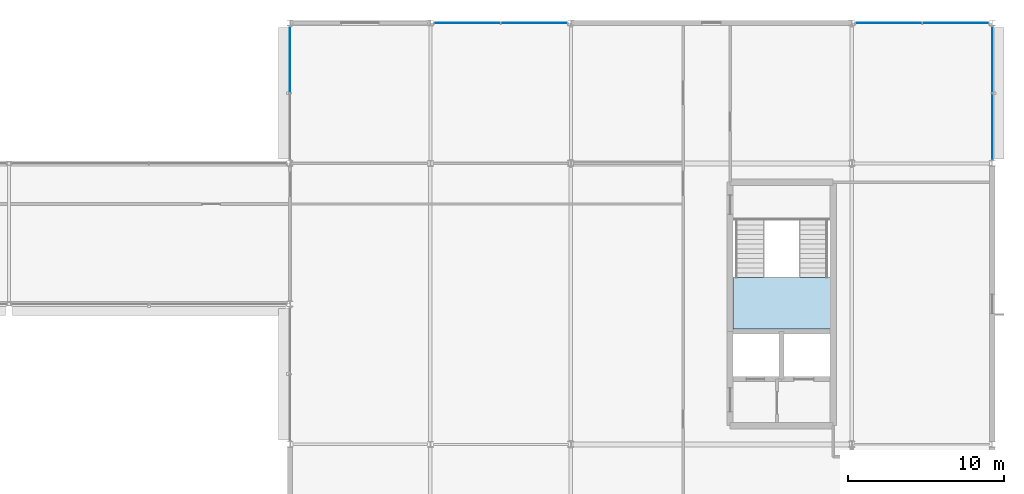
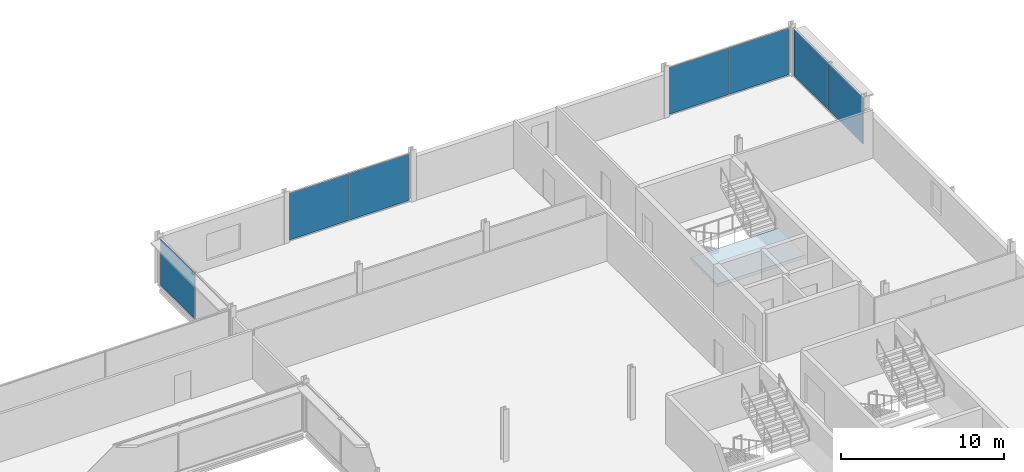
# One storey, part 56 of 98: 7 plates, 1 slab, 5 elements without a shape of their own.
"""IFC4 building model written with IfcOpenShell, lengths in metres."""

from ifc_helpers import new_model, si_unit, direction, frame, origin, origin_2d, place, context, subcontext, project, spatial, polyline, rectangle, outline, extrude, material, layer, layer_set, type_object, element, aggregate, save


model = new_model("IFC4")

# Units and contexts
model_context = context("Model", 3, precision=1e-05, world=origin(), true_north=direction((0.0, 1.0)))
body_context = subcontext(model_context, "Body", "Model", "MODEL_VIEW")
ifc_project = project(units=[si_unit("LENGTHUNIT", "METRE"), si_unit("AREAUNIT", "SQUARE_METRE"), si_unit("VOLUMEUNIT", "CUBIC_METRE"), si_unit("PLANEANGLEUNIT", "RADIAN"), si_unit("MASSUNIT", "GRAM", prefix="KILO")], contexts=[model_context])

# Site, building, storey
site_placement = place(None, origin())
site = spatial("IfcSite", under=ifc_project, at=site_placement, CompositionType="ELEMENT")
building_placement = place(site_placement, origin())
building = spatial("IfcBuilding", under=site, at=building_placement, Name="Kisiwana Market Hall", CompositionType="ELEMENT")
storey_placement = place(building_placement, frame((0.0, 0.0, 29.39990234375)))
storey = spatial("IfcBuildingStorey", under=building, at=storey_placement, Name="L06", CompositionType="ELEMENT", Elevation=29.39990234375)

# Curtain wall, plates
ifc_material_1 = material(Name="Double-glazed solar-control low-E IGU", Category="glass")
ifc_layer_1 = layer(ifc_material_1, 0.159912109375)
ifc_layer_set_1 = layer_set([ifc_layer_1], Name="CW-ZNA-EW-8200")
curtain_wall_type = type_object("IfcCurtainWallType", Name="CW-ZNA-EW-8200", PredefinedType="USERDEFINED", material=ifc_layer_set_1)
curtain_wall_1_placement = place(storey_placement, origin())
curtain_wall_1 = element("IfcCurtainWall", 1, at=curtain_wall_1_placement, inside=storey, type_object=curtain_wall_type, Name="Unitised curtain wall CW-197 (L06)", ObjectType="UNITISED CURTAIN WALL", PredefinedType="USERDEFINED")
ifc_material_2 = material(Name="Double-glazed solar-control low-E IGU", Category="glass")
ifc_layer_2 = layer(ifc_material_2, 0.02392578125)
ifc_layer_set_2 = layer_set([ifc_layer_2], Name="PL-IGU-24")
plate_type_1 = type_object("IfcPlateType", Name="PL-IGU-24", PredefinedType="CURTAIN_PANEL", material=ifc_layer_set_2)
plate_1_placement = place(storey_placement, frame((164.35693359375, 111.0, 0.06005859375), z_axis=(0.0, 0.0, 1.0), x_axis=(1.0, 0.0, 0.0)))
plate_1 = element("IfcPlate", 2, at=plate_1_placement, type_object=plate_type_1, Name="CW-197 panel 1.1", PredefinedType="CURTAIN_PANEL", context=body_context, shape_type="SweptSolid", body=[
    extrude(rectangle(XDim=4.2236328125, YDim=0.02392578125, at=origin_2d()), origin(), (0.0, 0.0, 1.0), 3.5),
])
plate_2_placement = place(storey_placement, frame((168.640869140625, 111.0, 0.06005859375), z_axis=(0.0, 0.0, 1.0), x_axis=(1.0, 0.0, 0.0)))
plate_2 = element("IfcPlate", 3, at=plate_2_placement, type_object=plate_type_1, Name="CW-197 panel 2.1", PredefinedType="CURTAIN_PANEL", context=body_context, shape_type="SweptSolid", body=[
    extrude(rectangle(XDim=4.2236328125, YDim=0.02392578125, at=origin_2d()), origin(), (0.0, 0.0, 1.0), 3.5),
])
aggregate(curtain_wall_1, [plate_1, plate_2])

# Curtain wall, plate
curtain_wall_2_placement = place(storey_placement, origin())
curtain_wall_2 = element("IfcCurtainWall", 4, at=curtain_wall_2_placement, inside=storey, type_object=curtain_wall_type, Name="Unitised curtain wall CW-207 (L06)", ObjectType="UNITISED CURTAIN WALL", PredefinedType="USERDEFINED")
plate_3_placement = place(storey_placement, frame((153.0, 108.64453125, 0.06005859375), z_axis=(0.0, 0.0, 1.0), x_axis=(0.0, 1.0, 0.0)))
plate_3 = element("IfcPlate", 5, at=plate_3_placement, type_object=plate_type_1, Name="CW-207 panel 2.1", PredefinedType="CURTAIN_PANEL", context=body_context, shape_type="SweptSolid", body=[
    extrude(rectangle(XDim=4.22900390625, YDim=0.02392578125, at=origin_2d()), origin(), (0.0, 0.0, 1.0), 3.5),
])
aggregate(curtain_wall_2, [plate_3])

# Curtain wall, plates
curtain_wall_3_placement = place(storey_placement, origin())
curtain_wall_3 = element("IfcCurtainWall", 6, at=curtain_wall_3_placement, inside=storey, type_object=curtain_wall_type, Name="Unitised curtain wall CW-198 (L06)", ObjectType="UNITISED CURTAIN WALL", PredefinedType="USERDEFINED")
ifc_material_3 = material(Name="Double-glazed acoustic laminated IGU", Category="glass")
ifc_layer_3 = layer(ifc_material_3, 0.028076171875)
ifc_layer_set_3 = layer_set([ifc_layer_3], Name="PL-IGU-28")
plate_type_2 = type_object("IfcPlateType", Name="PL-IGU-28", PredefinedType="CURTAIN_PANEL", material=ifc_layer_set_3)
plate_4_placement = place(storey_placement, frame((191.359130859375, 111.0, 0.06005859375), z_axis=(0.0, 0.0, 1.0), x_axis=(1.0, 0.0, 0.0)))
plate_4 = element("IfcPlate", 7, at=plate_4_placement, type_object=plate_type_2, Name="CW-198 panel 1.1", PredefinedType="CURTAIN_PANEL", context=body_context, shape_type="SweptSolid", body=[
    extrude(rectangle(XDim=4.2236328125, YDim=0.028076171875, at=origin_2d()), origin(), (0.0, 0.0, 1.0), 3.5),
])
plate_5_placement = place(storey_placement, frame((195.64306640625, 111.0, 0.06005859375), z_axis=(0.0, 0.0, 1.0), x_axis=(1.0, 0.0, 0.0)))
plate_5 = element("IfcPlate", 8, at=plate_5_placement, type_object=plate_type_2, Name="CW-198 panel 2.1", PredefinedType="CURTAIN_PANEL", context=body_context, shape_type="SweptSolid", body=[
    extrude(rectangle(XDim=4.2236328125, YDim=0.028076171875, at=origin_2d()), origin(), (0.0, 0.0, 1.0), 3.5),
])
aggregate(curtain_wall_3, [plate_4, plate_5])

curtain_wall_4_placement = place(storey_placement, origin())
curtain_wall_4 = element("IfcCurtainWall", 9, at=curtain_wall_4_placement, inside=storey, type_object=curtain_wall_type, Name="Unitised curtain wall CW-208 (L06)", ObjectType="UNITISED CURTAIN WALL", PredefinedType="USERDEFINED")
plate_6_placement = place(storey_placement, frame((198.0, 104.35546875, 0.06005859375), z_axis=(0.0, 0.0, 1.0), x_axis=(0.0, 1.0, 0.0)))
plate_6 = element("IfcPlate", 10, at=plate_6_placement, type_object=plate_type_2, Name="CW-208 panel 1.1", PredefinedType="CURTAIN_PANEL", context=body_context, shape_type="SweptSolid", body=[
    extrude(rectangle(XDim=4.22900390625, YDim=0.028076171875, at=origin_2d()), origin(), (0.0, 0.0, 1.0), 3.5),
])
plate_7_placement = place(storey_placement, frame((198.0, 108.64453125, 0.06005859375), z_axis=(0.0, 0.0, 1.0), x_axis=(0.0, 1.0, 0.0)))
plate_7 = element("IfcPlate", 11, at=plate_7_placement, type_object=plate_type_2, Name="CW-208 panel 2.1", PredefinedType="CURTAIN_PANEL", context=body_context, shape_type="SweptSolid", body=[
    extrude(rectangle(XDim=4.22900390625, YDim=0.028076171875, at=origin_2d()), origin(), (0.0, 0.0, 1.0), 3.5),
])
aggregate(curtain_wall_4, [plate_6, plate_7])

# Stair, slab
ifc_material_4 = material(Name="Concrete C32/40", Category="concrete")
stair_type = type_object("IfcStairType", Name="ST-TWR-3900", PredefinedType="TWO_STRAIGHT_RUN_STAIR", material=ifc_material_4)
stair_placement = place(storey_placement, origin())
stair = element("IfcStair", 12, at=stair_placement, inside=storey, type_object=stair_type, Name="Escape stair ST-E1-L06", PredefinedType="TWO_STRAIGHT_RUN_STAIR")
ifc_material_5 = material(Name="Concrete C32/40", Category="concrete")
ifc_layer_4 = layer(ifc_material_5, 0.239990234375)
ifc_layer_set_4 = layer_set([ifc_layer_4], Name="SL-LANDING-160")
slab_type = type_object("IfcSlabType", Name="SL-LANDING-160", PredefinedType="LANDING", material=ifc_layer_set_4)
slab_placement = place(storey_placement, frame((0.0, 0.0, 1.710205078125)))
slab = element("IfcSlab", 13, at=slab_placement, type_object=slab_type, Name="ST-E1-L06 landing 1 S-284", PredefinedType="LANDING", context=body_context, shape_type="SweptSolid", body=[
    extrude(outline(polyline([(181.3798828125, 91.3798828125), (187.6201171875, 91.3798828125), (187.6201171875, 94.69091796875), (181.3798828125, 94.69091796875), (181.3798828125, 91.3798828125)])), origin(), (0.0, 0.0, 1.0), 0.239990234375),
])
aggregate(stair, [slab])

save(model, "model.ifc")
